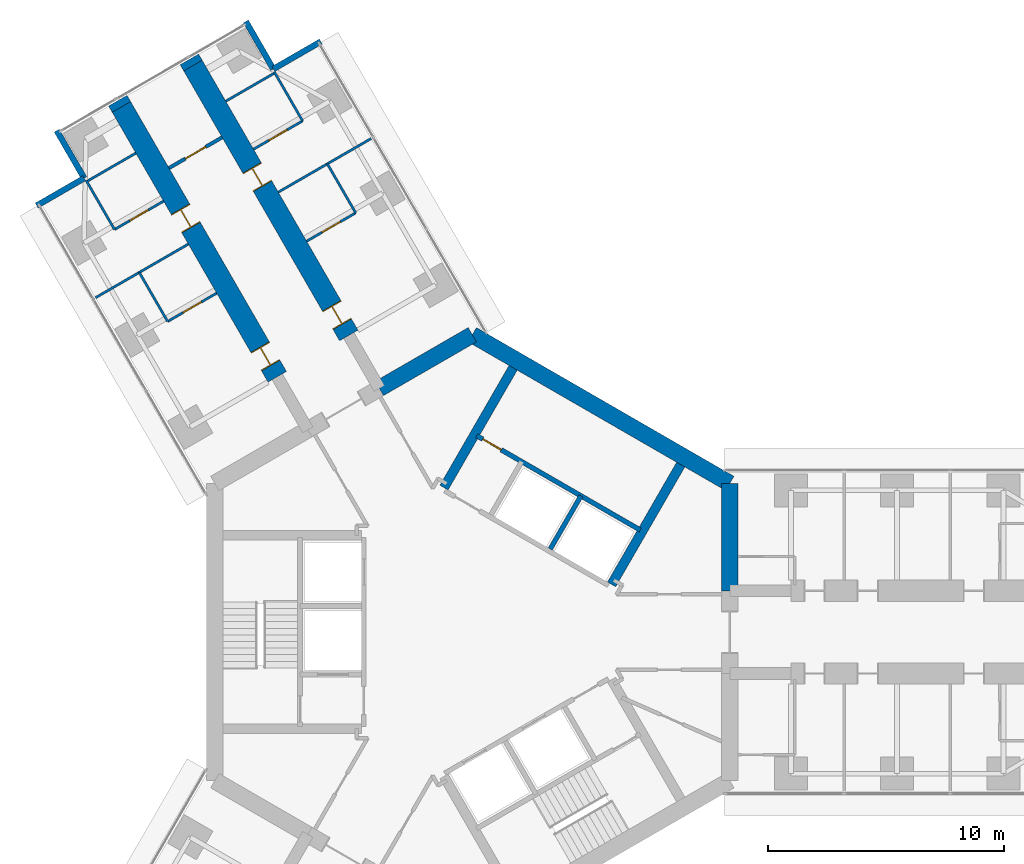
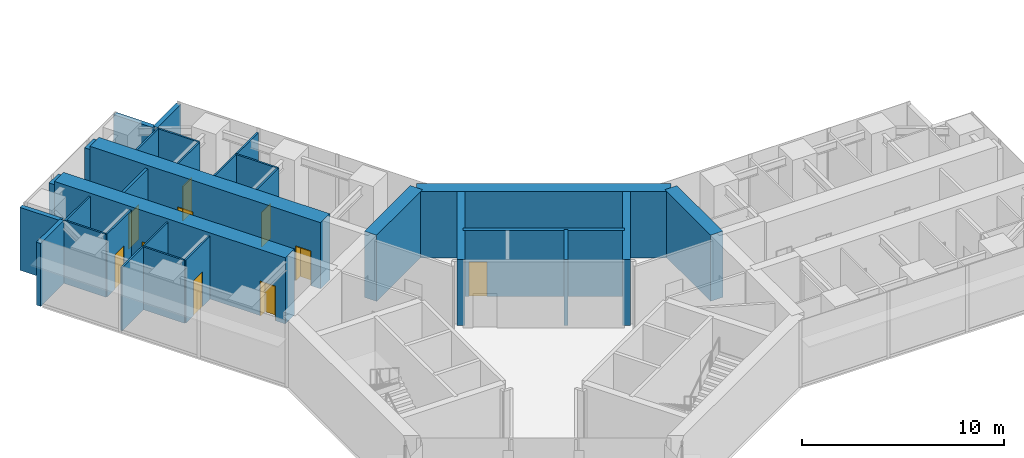
# One storey, part 19 of 25: 28 walls, 10 doors, 10 openings.
"""IFC4 building model written with IfcOpenShell, lengths in metres."""

from ifc_helpers import new_model, si_unit, direction, frame, frame_2d, origin, place, context, subcontext, project, spatial, rectangle, extrude, material, layer, layer_set, type_object, element, fill, save


model = new_model("IFC4")

# Units and contexts
model_context = context("Model", 3, precision=1e-05, world=origin(), true_north=direction((0.0, 1.0)))
body_context = subcontext(model_context, "Body", "Model", "MODEL_VIEW")
ifc_project = project(units=[si_unit("LENGTHUNIT", "METRE"), si_unit("AREAUNIT", "SQUARE_METRE"), si_unit("VOLUMEUNIT", "CUBIC_METRE"), si_unit("PLANEANGLEUNIT", "RADIAN"), si_unit("MASSUNIT", "GRAM", prefix="KILO")], contexts=[model_context])

# Site, building, storey
site_placement = place(None, origin())
site = spatial("IfcSite", under=ifc_project, at=site_placement, CompositionType="ELEMENT")
building_placement = place(site_placement, origin())
building = spatial("IfcBuilding", under=site, at=building_placement, Name="Upepo Twin Towers", CompositionType="ELEMENT")
storey_placement = place(building_placement, frame((0.0, 0.0, 80.5)))
storey = spatial("IfcBuildingStorey", under=building, at=storey_placement, Name="L19", CompositionType="ELEMENT", Elevation=80.5)

# Walls
ifc_material_1 = material(Name="Dense concrete blockwork", Category="masonry")
ifc_layer_1 = layer(ifc_material_1, 0.89990234375)
ifc_layer_set_1 = layer_set([ifc_layer_1], Name="Buttress closer 900, blockwork with fire-stopping to the curtain wall")
wall_type_1 = type_object("IfcWallType", Name="Buttress closer 900, blockwork with fire-stopping to the curtain wall", PredefinedType="PARTITIONING", material=ifc_layer_set_1)
for number, where, z_axis, x_axis, name in (
    (1, (-14.865478515625, 22.247802734375, 0.0), (0.0, 0.0, 1.0), (-0.499949632511, 0.866054481515, 0.0), "T1 L19 wing B buttress closer L"),
    (2, (-11.83447265625, 23.997802734375, 0.0), (0.0, 0.0, 1.0), (-0.499949632511, 0.866054481515, 0.0), "T1 L19 wing B buttress closer R"),
):
    element("IfcWall", number, at=place(storey_placement, frame(where, z_axis=z_axis, x_axis=x_axis)), inside=storey, type_object=wall_type_1, Name=name, PredefinedType="PARTITIONING", context=body_context, shape_type="SweptSolid", body=[
        extrude(rectangle(XDim=0.31005859375, YDim=0.89990234375, at=frame_2d((0.155029296875, 0.0))), origin(), (0.0, 0.0, 1.0), 3.800048828125),
    ])

# Wall, openings, doors
ifc_material_2 = material(Name="Concrete C60/75", Category="concrete")
ifc_layer_2 = layer(ifc_material_2, 0.89990234375)
ifc_layer_set_2 = layer_set([ifc_layer_2], Name="Concrete C60/75")
wall_type_2 = type_object("IfcWallType", Name="Buttress wall 900 RC", PredefinedType="SHEAR", material=ifc_layer_set_2)
wall_1_placement = place(storey_placement, frame((-8.265625, 10.81640625, 0.0), z_axis=(0.0, 0.0, 1.0), x_axis=(-0.499996231654, 0.866027579429, 0.0)))
wall_1 = element("IfcWall", 3, at=wall_1_placement, inside=storey, type_object=wall_type_2, Name="T1 wing B buttress wall L part 2", PredefinedType="SHEAR", context=body_context, shape_type="SweptSolid", body=[
    extrude(rectangle(XDim=13.19970703125, YDim=0.89990234375, at=frame_2d((6.599853515625, 0.0))), origin(), (0.0, 0.0, 1.0), 4.0),
])
opening_1_placement = place(wall_1_placement, frame((0.550048828125, 0.0, 0.0)))
opening_1 = element("IfcOpeningElement", 4, at=opening_1_placement, cuts=wall_1, Name="Opening D14", PredefinedType="OPENING", context=body_context, shape_type="SweptSolid", body=[
    extrude(rectangle(XDim=0.89990234375, YDim=2.10009765625, at=frame_2d((0.449951171875, 1.050048828125))), frame((0.0, 0.4599609375, 0.0), z_axis=(0.0, -1.0, 0.0), x_axis=(1.0, 0.0, 0.0)), (0.0, 0.0, 1.0), 0.919921875),
])
opening_2_placement = place(wall_1_placement, frame((7.300048828125, 0.0, 0.0)))
opening_2 = element("IfcOpeningElement", 5, at=opening_2_placement, cuts=wall_1, Name="Opening D14", PredefinedType="OPENING", context=body_context, shape_type="SweptSolid", body=[
    extrude(rectangle(XDim=0.89990234375, YDim=2.10009765625, at=frame_2d((0.449951171875, 1.050048828125))), frame((0.0, 0.4599609375, 0.0), z_axis=(0.0, -1.0, 0.0), x_axis=(1.0, 0.0, 0.0)), (0.0, 0.0, 1.0), 0.919921875),
])
ifc_material_3 = material(Name="Timber doorset", Category="wood")
door_type_1 = type_object("IfcDoorType", Name="Office door 900 FD30", OperationType="SINGLE_SWING_LEFT", PredefinedType="DOOR", material=ifc_material_3)
door_1_placement = place(opening_1_placement, origin())
door_1 = element("IfcDoor", 6, at=door_1_placement, inside=storey, type_object=door_type_1, Name="T1 L19 open-plan staff office door", OperationType="SINGLE_SWING_LEFT", OverallHeight=2.10009765625, OverallWidth=0.89990234375, PredefinedType="DOOR", context=body_context, shape_type="SweptSolid", body=[
    extrude(rectangle(XDim=0.81990234375, YDim=2.06009765625, at=frame_2d((0.449951171875, 1.030029296875))), frame((0.0, 0.02490234375, 0.0), z_axis=(0.0, -1.0, 0.0), x_axis=(1.0, 0.0, 0.0)), (0.0, 0.0, 1.0), 0.050048828125),
    extrude(rectangle(XDim=0.04, YDim=2.10009765625, at=frame_2d((0.02001953125, 1.050048828125))), frame((0.0, 0.44970703125, 0.0), z_axis=(0.0, -1.0, 0.0), x_axis=(1.0, 0.0, 0.0)), (0.0, 0.0, 1.0), 0.8994140625),
    extrude(rectangle(XDim=0.04, YDim=2.10009765625, at=frame_2d((0.8798828125, 1.050048828125))), frame((0.0, 0.44970703125, 0.0), z_axis=(0.0, -1.0, 0.0), x_axis=(1.0, 0.0, 0.0)), (0.0, 0.0, 1.0), 0.8994140625),
    extrude(rectangle(XDim=0.81990234375, YDim=0.04, at=frame_2d((0.449951171875, 2.080078125))), frame((0.0, 0.44970703125, 0.0), z_axis=(0.0, -1.0, 0.0), x_axis=(1.0, 0.0, 0.0)), (0.0, 0.0, 1.0), 0.8994140625),
])
fill(opening_1, door_1)
door_2_placement = place(opening_2_placement, origin())
door_2 = element("IfcDoor", 7, at=door_2_placement, inside=storey, type_object=door_type_1, Name="T1 L19 staff office door", OperationType="SINGLE_SWING_RIGHT", OverallHeight=2.10009765625, OverallWidth=0.89990234375, PredefinedType="DOOR", context=body_context, shape_type="SweptSolid", body=[
    extrude(rectangle(XDim=0.81990234375, YDim=2.06009765625, at=frame_2d((0.449951171875, 1.030029296875))), frame((0.0, 0.02490234375, 0.0), z_axis=(0.0, -1.0, 0.0), x_axis=(1.0, 0.0, 0.0)), (0.0, 0.0, 1.0), 0.050048828125),
    extrude(rectangle(XDim=0.04, YDim=2.10009765625, at=frame_2d((0.02001953125, 1.050048828125))), frame((0.0, 0.44970703125, 0.0), z_axis=(0.0, -1.0, 0.0), x_axis=(1.0, 0.0, 0.0)), (0.0, 0.0, 1.0), 0.8994140625),
    extrude(rectangle(XDim=0.04, YDim=2.10009765625, at=frame_2d((0.8798828125, 1.050048828125))), frame((0.0, 0.44970703125, 0.0), z_axis=(0.0, -1.0, 0.0), x_axis=(1.0, 0.0, 0.0)), (0.0, 0.0, 1.0), 0.8994140625),
    extrude(rectangle(XDim=0.81990234375, YDim=0.04, at=frame_2d((0.449951171875, 2.080078125))), frame((0.0, 0.44970703125, 0.0), z_axis=(0.0, -1.0, 0.0), x_axis=(1.0, 0.0, 0.0)), (0.0, 0.0, 1.0), 0.8994140625),
])
fill(opening_2, door_2)

wall_2_placement = place(storey_placement, frame((-5.234375, 12.56640625, 0.0), z_axis=(0.0, 0.0, 1.0), x_axis=(-0.500010103361, 0.866019570528, 0.0)))
wall_2 = element("IfcWall", 8, at=wall_2_placement, inside=storey, type_object=wall_type_2, Name="T1 wing B buttress wall R part 2", PredefinedType="SHEAR", context=body_context, shape_type="SweptSolid", body=[
    extrude(rectangle(XDim=13.199951171875, YDim=0.89990234375, at=frame_2d((6.60009765625, 0.0))), origin(), (0.0, 0.0, 1.0), 4.0),
])
opening_3_placement = place(wall_2_placement, frame((0.550048828125, 0.0, 0.0)))
opening_3 = element("IfcOpeningElement", 9, at=opening_3_placement, cuts=wall_2, Name="Opening D14", PredefinedType="OPENING", context=body_context, shape_type="SweptSolid", body=[
    extrude(rectangle(XDim=0.89990234375, YDim=2.10009765625, at=frame_2d((0.449951171875, 1.050048828125))), frame((0.0, 0.4599609375, 0.0), z_axis=(0.0, -1.0, 0.0), x_axis=(1.0, 0.0, 0.0)), (0.0, 0.0, 1.0), 0.919921875),
])
opening_4_placement = place(wall_2_placement, frame((7.300048828125, 0.0, 0.0)))
opening_4 = element("IfcOpeningElement", 10, at=opening_4_placement, cuts=wall_2, Name="Opening D14", PredefinedType="OPENING", context=body_context, shape_type="SweptSolid", body=[
    extrude(rectangle(XDim=0.89990234375, YDim=2.10009765625, at=frame_2d((0.449951171875, 1.050048828125))), frame((0.0, 0.4599609375, 0.0), z_axis=(0.0, -1.0, 0.0), x_axis=(1.0, 0.0, 0.0)), (0.0, 0.0, 1.0), 0.919921875),
])
door_3_placement = place(opening_3_placement, origin())
door_3 = element("IfcDoor", 11, at=door_3_placement, inside=storey, type_object=door_type_1, Name="T1 L19 open-plan staff office door", OperationType="SINGLE_SWING_LEFT", OverallHeight=2.10009765625, OverallWidth=0.89990234375, PredefinedType="DOOR", context=body_context, shape_type="SweptSolid", body=[
    extrude(rectangle(XDim=0.81990234375, YDim=2.06009765625, at=frame_2d((0.449951171875, 1.030029296875))), frame((0.0, 0.02490234375, 0.0), z_axis=(0.0, -1.0, 0.0), x_axis=(1.0, 0.0, 0.0)), (0.0, 0.0, 1.0), 0.050048828125),
    extrude(rectangle(XDim=0.04, YDim=2.10009765625, at=frame_2d((0.02001953125, 1.050048828125))), frame((0.0, 0.44970703125, 0.0), z_axis=(0.0, -1.0, 0.0), x_axis=(1.0, 0.0, 0.0)), (0.0, 0.0, 1.0), 0.8994140625),
    extrude(rectangle(XDim=0.04, YDim=2.10009765625, at=frame_2d((0.8798828125, 1.050048828125))), frame((0.0, 0.44970703125, 0.0), z_axis=(0.0, -1.0, 0.0), x_axis=(1.0, 0.0, 0.0)), (0.0, 0.0, 1.0), 0.8994140625),
    extrude(rectangle(XDim=0.81990234375, YDim=0.04, at=frame_2d((0.449951171875, 2.080078125))), frame((0.0, 0.44970703125, 0.0), z_axis=(0.0, -1.0, 0.0), x_axis=(1.0, 0.0, 0.0)), (0.0, 0.0, 1.0), 0.8994140625),
])
fill(opening_3, door_3)
door_4_placement = place(opening_4_placement, origin())
door_4 = element("IfcDoor", 12, at=door_4_placement, inside=storey, type_object=door_type_1, Name="T1 L19 postgraduate office door", OperationType="SINGLE_SWING_RIGHT", OverallHeight=2.10009765625, OverallWidth=0.89990234375, PredefinedType="DOOR", context=body_context, shape_type="SweptSolid", body=[
    extrude(rectangle(XDim=0.81990234375, YDim=2.06009765625, at=frame_2d((0.449951171875, 1.030029296875))), frame((0.0, 0.02490234375, 0.0), z_axis=(0.0, -1.0, 0.0), x_axis=(1.0, 0.0, 0.0)), (0.0, 0.0, 1.0), 0.050048828125),
    extrude(rectangle(XDim=0.04, YDim=2.10009765625, at=frame_2d((0.02001953125, 1.050048828125))), frame((0.0, 0.44970703125, 0.0), z_axis=(0.0, -1.0, 0.0), x_axis=(1.0, 0.0, 0.0)), (0.0, 0.0, 1.0), 0.8994140625),
    extrude(rectangle(XDim=0.04, YDim=2.10009765625, at=frame_2d((0.8798828125, 1.050048828125))), frame((0.0, 0.44970703125, 0.0), z_axis=(0.0, -1.0, 0.0), x_axis=(1.0, 0.0, 0.0)), (0.0, 0.0, 1.0), 0.8994140625),
    extrude(rectangle(XDim=0.81990234375, YDim=0.04, at=frame_2d((0.449951171875, 2.080078125))), frame((0.0, 0.44970703125, 0.0), z_axis=(0.0, -1.0, 0.0), x_axis=(1.0, 0.0, 0.0)), (0.0, 0.0, 1.0), 0.8994140625),
])
fill(opening_4, door_4)

# Walls
ifc_material_4 = material(Name="Concrete C60/75", Category="concrete")
ifc_layer_3 = layer(ifc_material_4, 0.699951171875)
ifc_layer_set_3 = layer_set([ifc_layer_3], Name="Concrete C60/75")
wall_type_3 = type_object("IfcWallType", Name="Core wall 700 RC", PredefinedType="SHEAR", material=ifc_layer_set_3)
wall_3_placement = place(storey_placement, frame((10.908447265625, 1.75, 0.0), z_axis=(0.0, 0.0, 1.0), x_axis=(0.0, 1.0, 0.0)))
element("IfcWall", 13, at=wall_3_placement, inside=storey, type_object=wall_type_3, Name="T1 core wall 000 L", PredefinedType="SHEAR", context=body_context, shape_type="SweptSolid", body=[
    extrude(rectangle(XDim=4.5478515625, YDim=0.699951171875, at=frame_2d((2.27392578125, 0.0))), origin(), (0.0, 0.0, 1.0), 4.0),
])
wall_4_placement = place(storey_placement, frame((10.908447265625, 6.2978515625, 0.0), z_axis=(0.0, 0.0, 1.0), x_axis=(-0.866021940709, 0.500005998175, 0.0)))
element("IfcWall", 14, at=wall_4_placement, inside=storey, type_object=wall_type_3, Name="T1 core wall 060", PredefinedType="SHEAR", context=body_context, shape_type="SweptSolid", body=[
    extrude(rectangle(XDim=12.595947265625, YDim=0.699951171875, at=frame_2d((6.2978515625, 0.0))), origin(), (0.0, 0.0, 1.0), 4.0),
])
wall_5_placement = place(storey_placement, frame((0.0, 12.595947265625, 0.0), z_axis=(0.0, 0.0, 1.0), x_axis=(-0.866011268655, -0.500024481964, 0.0)))
element("IfcWall", 15, at=wall_5_placement, inside=storey, type_object=wall_type_3, Name="T1 core wall 120 R", PredefinedType="SHEAR", context=body_context, shape_type="SweptSolid", body=[
    extrude(rectangle(XDim=4.548095703125, YDim=0.699951171875, at=frame_2d((2.27392578125, 0.0))), origin(), (0.0, 0.0, 1.0), 4.0),
])
ifc_material_5 = material(Name="Blockwork with anodised aluminium cladding", Category="masonry")
ifc_layer_4 = layer(ifc_material_5, 0.25)
ifc_layer_set_4 = layer_set([ifc_layer_4], Name="Notch cladding wall 250, pale metal")
wall_type_4 = type_object("IfcWallType", Name="Notch cladding wall 250, pale metal", PredefinedType="STANDARD", material=ifc_layer_set_4)
for number, where, z_axis, x_axis, name in (
    (16, (-18.456298828125, 18.0673828125, 0.0), (0.0, 0.0, 1.0), (0.865998469481, 0.500046648681, 0.0), "T1 L19 wing B notch wall L1"),
    (17, (-16.44287109375, 19.22998046875, 0.0), (0.0, 0.0, 1.0), (-0.500046648681, 0.865998469481, 0.0), "T1 L19 wing B notch wall L2"),
    (18, (-6.418701171875, 25.017333984375, 0.0), (0.0, 0.0, 1.0), (-0.866043940782, -0.499967891604, 0.0), "T1 L19 wing B notch wall R1"),
    (19, (-8.43212890625, 23.85498046875, 0.0), (0.0, 0.0, 1.0), (-0.500046648681, 0.865998469481, 0.0), "T1 L19 wing B notch wall R2"),
):
    element("IfcWall", number, at=place(storey_placement, frame(where, z_axis=z_axis, x_axis=x_axis)), inside=storey, type_object=wall_type_4, Name=name, PredefinedType="STANDARD", context=body_context, shape_type="SweptSolid", body=[
        extrude(rectangle(XDim=2.324951171875, YDim=0.25, at=frame_2d((1.16259765625, 0.0))), origin(), (0.0, 0.0, 1.0), 3.800048828125),
    ])
ifc_material_6 = material(Name="Gypsum board on steel studs", Category="steel")
ifc_layer_5 = layer(ifc_material_6, 0.10009765625)
ifc_layer_set_5 = layer_set([ifc_layer_5], Name="Office partition 100 stud")
wall_type_5 = type_object("IfcWallType", Name="Office partition 100 stud", PredefinedType="PARTITIONING", material=ifc_layer_set_5)
wall_6_placement = place(storey_placement, frame((-12.0302734375, 16.43701171875, 0.0), z_axis=(0.0, 0.0, 1.0), x_axis=(-0.866035472144, -0.499982560684, 0.0)))
element("IfcWall", 20, at=wall_6_placement, inside=storey, type_object=wall_type_5, Name="T1 partition BL at 20.25", PredefinedType="PARTITIONING", context=body_context, shape_type="SweptSolid", body=[
    extrude(rectangle(XDim=4.550048828125, YDim=0.10009765625, at=frame_2d((2.27490234375, 0.0))), origin(), (0.0, 0.0, 1.0), 3.800048828125),
])
wall_7_placement = place(storey_placement, frame((-12.90869140625, 13.158447265625, 0.0), z_axis=(0.0, 0.0, 1.0), x_axis=(-0.499957262057, 0.866050077142, 0.0)))
element("IfcWall", 21, at=wall_7_placement, inside=storey, type_object=wall_type_5, Name="T1 inner room partition BL at 17.85", PredefinedType="PARTITIONING", context=body_context, shape_type="SweptSolid", body=[
    extrude(rectangle(XDim=2.400146484375, YDim=0.10009765625, at=frame_2d((1.2001953125, 0.0))), origin(), (0.0, 0.0, 1.0), 3.800048828125),
])

# Wall, opening, door
wall_8_placement = place(storey_placement, frame((-10.830322265625, 14.358642578125, 0.0), z_axis=(0.0, 0.0, 1.0), x_axis=(-0.865980596518, -0.500077600433, 0.0)))
wall_8 = element("IfcWall", 22, at=wall_8_placement, inside=storey, type_object=wall_type_5, Name="T1 inner room partition BL end at 17.85", PredefinedType="PARTITIONING", context=body_context, shape_type="SweptSolid", body=[
    extrude(rectangle(XDim=2.39990234375, YDim=0.10009765625, at=frame_2d((1.199951171875, 0.0))), origin(), (0.0, 0.0, 1.0), 3.800048828125),
])
opening_5_placement = place(wall_8_placement, frame((0.75, 0.0, 0.0)))
opening_5 = element("IfcOpeningElement", 23, at=opening_5_placement, cuts=wall_8, Name="Opening D14", PredefinedType="OPENING", context=body_context, shape_type="SweptSolid", body=[
    extrude(rectangle(XDim=0.89990234375, YDim=2.10009765625, at=frame_2d((0.449951171875, 1.050048828125))), frame((0.0, 0.06005859375, 0.0), z_axis=(0.0, -1.0, 0.0), x_axis=(1.0, 0.0, 0.0)), (0.0, 0.0, 1.0), 0.1201171875),
])
door_5_placement = place(opening_5_placement, origin())
door_5 = element("IfcDoor", 24, at=door_5_placement, inside=storey, type_object=door_type_1, Name="T1 L19 inner room door", OperationType="SINGLE_SWING_LEFT", OverallHeight=2.10009765625, OverallWidth=0.89990234375, PredefinedType="DOOR", context=body_context, shape_type="SweptSolid", body=[
    extrude(rectangle(XDim=0.89990234375, YDim=2.10009765625, at=frame_2d((0.449951171875, 1.050048828125))), frame((0.0, 0.02490234375, 0.0), z_axis=(0.0, -1.0, 0.0), x_axis=(1.0, 0.0, 0.0)), (0.0, 0.0, 1.0), 0.050048828125),
])
fill(opening_5, door_5)

# Wall
wall_9_placement = place(storey_placement, frame((-15.15869140625, 17.0556640625, 0.0), z_axis=(0.0, 0.0, 1.0), x_axis=(-0.500001309137, 0.866024647952, 0.0)))
element("IfcWall", 25, at=wall_9_placement, inside=storey, type_object=wall_type_5, Name="T1 inner room partition BL at 22.35", PredefinedType="PARTITIONING", context=body_context, shape_type="SweptSolid", body=[
    extrude(rectangle(XDim=2.39990234375, YDim=0.10009765625, at=frame_2d((1.199951171875, 0.0))), origin(), (0.0, 0.0, 1.0), 3.800048828125),
])

# Wall, opening, door
wall_10_placement = place(storey_placement, frame((-13.080322265625, 18.255615234375, 0.0), z_axis=(0.0, 0.0, 1.0), x_axis=(-0.866024647952, -0.500001309137, 0.0)))
wall_10 = element("IfcWall", 26, at=wall_10_placement, inside=storey, type_object=wall_type_5, Name="T1 inner room partition BL end at 22.35", PredefinedType="PARTITIONING", context=body_context, shape_type="SweptSolid", body=[
    extrude(rectangle(XDim=2.39990234375, YDim=0.10009765625, at=frame_2d((1.199951171875, 0.0))), origin(), (0.0, 0.0, 1.0), 3.800048828125),
])
opening_6_placement = place(wall_10_placement, frame((0.75, 0.0, 0.0)))
opening_6 = element("IfcOpeningElement", 27, at=opening_6_placement, cuts=wall_10, Name="Opening D14", PredefinedType="OPENING", context=body_context, shape_type="SweptSolid", body=[
    extrude(rectangle(XDim=0.89990234375, YDim=2.10009765625, at=frame_2d((0.449951171875, 1.050048828125))), frame((0.0, 0.06005859375, 0.0), z_axis=(0.0, -1.0, 0.0), x_axis=(1.0, 0.0, 0.0)), (0.0, 0.0, 1.0), 0.1201171875),
])
door_6_placement = place(opening_6_placement, origin())
door_6 = element("IfcDoor", 28, at=door_6_placement, inside=storey, type_object=door_type_1, Name="T1 L19 inner room door", OperationType="SINGLE_SWING_LEFT", OverallHeight=2.10009765625, OverallWidth=0.89990234375, PredefinedType="DOOR", context=body_context, shape_type="SweptSolid", body=[
    extrude(rectangle(XDim=0.89990234375, YDim=2.10009765625, at=frame_2d((0.449951171875, 1.050048828125))), frame((0.0, 0.02490234375, 0.0), z_axis=(0.0, -1.0, 0.0), x_axis=(1.0, 0.0, 0.0)), (0.0, 0.0, 1.0), 0.050048828125),
])
fill(opening_6, door_6)

# Walls
wall_11_placement = place(storey_placement, frame((-14.25537109375, 20.290771484375, 0.0), z_axis=(0.0, 0.0, 1.0), x_axis=(-0.866024647952, -0.500001309137, 0.0)))
element("IfcWall", 29, at=wall_11_placement, inside=storey, type_object=wall_type_5, Name="T1 inner room partition BL end at 24.75", PredefinedType="PARTITIONING", context=body_context, shape_type="SweptSolid", body=[
    extrude(rectangle(XDim=2.39990234375, YDim=0.10009765625, at=frame_2d((1.199951171875, 0.0))), origin(), (0.0, 0.0, 1.0), 3.800048828125),
])
wall_12_placement = place(storey_placement, frame((-8.2197265625, 18.636962890625, 0.0), z_axis=(0.0, 0.0, 1.0), x_axis=(0.866012237902, 0.500022803284, 0.0)))
element("IfcWall", 30, at=wall_12_placement, inside=storey, type_object=wall_type_5, Name="T1 partition BR at 20.25", PredefinedType="PARTITIONING", context=body_context, shape_type="SweptSolid", body=[
    extrude(rectangle(XDim=4.550048828125, YDim=0.10009765625, at=frame_2d((2.27490234375, 0.0))), origin(), (0.0, 0.0, 1.0), 3.800048828125),
])
wall_13_placement = place(storey_placement, frame((-4.941162109375, 17.758544921875, 0.0), z_axis=(0.0, 0.0, 1.0), x_axis=(-0.500077600433, 0.865980596518, 0.0)))
element("IfcWall", 31, at=wall_13_placement, inside=storey, type_object=wall_type_5, Name="T1 inner room partition BR at 17.85", PredefinedType="PARTITIONING", context=body_context, shape_type="SweptSolid", body=[
    extrude(rectangle(XDim=2.39990234375, YDim=0.10009765625, at=frame_2d((1.199951171875, 0.0))), origin(), (0.0, 0.0, 1.0), 3.800048828125),
])

# Wall, opening, door
wall_14_placement = place(storey_placement, frame((-7.019775390625, 16.55859375, 0.0), z_axis=(0.0, 0.0, 1.0), x_axis=(0.866050077142, 0.499957262057, 0.0)))
wall_14 = element("IfcWall", 32, at=wall_14_placement, inside=storey, type_object=wall_type_5, Name="T1 inner room partition BR end at 17.85", PredefinedType="PARTITIONING", context=body_context, shape_type="SweptSolid", body=[
    extrude(rectangle(XDim=2.400146484375, YDim=0.10009765625, at=frame_2d((1.2001953125, 0.0))), origin(), (0.0, 0.0, 1.0), 3.800048828125),
])
opening_7_placement = place(wall_14_placement, frame((0.75, 0.0, 0.0)))
opening_7 = element("IfcOpeningElement", 33, at=opening_7_placement, cuts=wall_14, Name="Opening D14", PredefinedType="OPENING", context=body_context, shape_type="SweptSolid", body=[
    extrude(rectangle(XDim=0.89990234375, YDim=2.10009765625, at=frame_2d((0.449951171875, 1.050048828125))), frame((0.0, 0.06005859375, 0.0), z_axis=(0.0, -1.0, 0.0), x_axis=(1.0, 0.0, 0.0)), (0.0, 0.0, 1.0), 0.1201171875),
])
door_7_placement = place(opening_7_placement, origin())
door_7 = element("IfcDoor", 34, at=door_7_placement, inside=storey, type_object=door_type_1, Name="T1 L19 inner room door", OperationType="SINGLE_SWING_LEFT", OverallHeight=2.10009765625, OverallWidth=0.89990234375, PredefinedType="DOOR", context=body_context, shape_type="SweptSolid", body=[
    extrude(rectangle(XDim=0.89990234375, YDim=2.10009765625, at=frame_2d((0.449951171875, 1.050048828125))), frame((0.0, 0.02490234375, 0.0), z_axis=(0.0, -1.0, 0.0), x_axis=(1.0, 0.0, 0.0)), (0.0, 0.0, 1.0), 0.050048828125),
])
fill(opening_7, door_7)

# Wall
wall_15_placement = place(storey_placement, frame((-7.191162109375, 21.65576171875, 0.0), z_axis=(0.0, 0.0, 1.0), x_axis=(-0.500077600433, 0.865980596518, 0.0)))
element("IfcWall", 35, at=wall_15_placement, inside=storey, type_object=wall_type_5, Name="T1 inner room partition BR at 22.35", PredefinedType="PARTITIONING", context=body_context, shape_type="SweptSolid", body=[
    extrude(rectangle(XDim=2.39990234375, YDim=0.10009765625, at=frame_2d((1.199951171875, 0.0))), origin(), (0.0, 0.0, 1.0), 3.800048828125),
])

# Wall, opening, door
wall_16_placement = place(storey_placement, frame((-9.269775390625, 20.45556640625, 0.0), z_axis=(0.0, 0.0, 1.0), x_axis=(0.866006032174, 0.500033551112, 0.0)))
wall_16 = element("IfcWall", 36, at=wall_16_placement, inside=storey, type_object=wall_type_5, Name="T1 inner room partition BR end at 22.35", PredefinedType="PARTITIONING", context=body_context, shape_type="SweptSolid", body=[
    extrude(rectangle(XDim=2.400146484375, YDim=0.10009765625, at=frame_2d((1.2001953125, 0.0))), origin(), (0.0, 0.0, 1.0), 3.800048828125),
])
opening_8_placement = place(wall_16_placement, frame((0.75, 0.0, 0.0)))
opening_8 = element("IfcOpeningElement", 37, at=opening_8_placement, cuts=wall_16, Name="Opening D14", PredefinedType="OPENING", context=body_context, shape_type="SweptSolid", body=[
    extrude(rectangle(XDim=0.89990234375, YDim=2.10009765625, at=frame_2d((0.449951171875, 1.050048828125))), frame((0.0, 0.06005859375, 0.0), z_axis=(0.0, -1.0, 0.0), x_axis=(1.0, 0.0, 0.0)), (0.0, 0.0, 1.0), 0.1201171875),
])
door_8_placement = place(opening_8_placement, origin())
door_8 = element("IfcDoor", 38, at=door_8_placement, inside=storey, type_object=door_type_1, Name="T1 L19 inner room door", OperationType="SINGLE_SWING_LEFT", OverallHeight=2.10009765625, OverallWidth=0.89990234375, PredefinedType="DOOR", context=body_context, shape_type="SweptSolid", body=[
    extrude(rectangle(XDim=0.89990234375, YDim=2.10009765625, at=frame_2d((0.449951171875, 1.050048828125))), frame((0.0, 0.02490234375, 0.0), z_axis=(0.0, -1.0, 0.0), x_axis=(1.0, 0.0, 0.0)), (0.0, 0.0, 1.0), 0.050048828125),
])
fill(opening_8, door_8)

# Walls
wall_17_placement = place(storey_placement, frame((-10.44482421875, 22.49072265625, 0.0), z_axis=(0.0, 0.0, 1.0), x_axis=(0.866006032174, 0.500033551112, 0.0)))
element("IfcWall", 39, at=wall_17_placement, inside=storey, type_object=wall_type_5, Name="T1 inner room partition BR end at 24.75", PredefinedType="PARTITIONING", context=body_context, shape_type="SweptSolid", body=[
    extrude(rectangle(XDim=2.400146484375, YDim=0.10009765625, at=frame_2d((1.2001953125, 0.0))), origin(), (0.0, 0.0, 1.0), 3.800048828125),
])
ifc_material_7 = material(Name="Concrete C40/50", Category="concrete")
ifc_layer_6 = layer(ifc_material_7, 0.199951171875)
ifc_layer_set_6 = layer_set([ifc_layer_6], Name="Concrete C40/50")
wall_type_6 = type_object("IfcWallType", Name="Shaft wall 200 RC", PredefinedType="SHEAR", material=ifc_layer_set_6)
wall_18_placement = place(storey_placement, frame((3.302734375, 3.520263671875, 0.0), z_axis=(0.0, 0.0, 1.0), x_axis=(0.499936506574, 0.866062058628, 0.0)))
element("IfcWall", 40, at=wall_18_placement, inside=storey, type_object=wall_type_6, Name="T1 core W60 shaft divider", PredefinedType="SHEAR", context=body_context, shape_type="SweptSolid", body=[
    extrude(rectangle(XDim=2.599853515625, YDim=0.199951171875, at=frame_2d((1.2998046875, 0.0))), origin(), (0.0, 0.0, 1.0), 4.0),
])

# Wall, opening, door
wall_19_placement = place(storey_placement, frame((7.114013671875, 4.322021484375, 0.0), z_axis=(0.0, 0.0, 1.0), x_axis=(-0.866026010844, 0.49999894854, 0.0)))
wall_19 = element("IfcWall", 41, at=wall_19_placement, inside=storey, type_object=wall_type_6, Name="T1 core W60 stair wall", PredefinedType="SHEAR", context=body_context, shape_type="SweptSolid", body=[
    extrude(rectangle(XDim=8.0, YDim=0.199951171875, at=frame_2d((4.0, 0.0))), origin(), (0.0, 0.0, 1.0), 4.0),
])
opening_9_placement = place(wall_19_placement, frame((6.800048828125, 0.0, 0.0)))
opening_9 = element("IfcOpeningElement", 42, at=opening_9_placement, cuts=wall_19, Name="Opening D9", PredefinedType="OPENING", context=body_context, shape_type="SweptSolid", body=[
    extrude(rectangle(XDim=0.89990234375, YDim=2.10009765625, at=frame_2d((0.449951171875, 1.050048828125))), frame((0.0, 0.10986328125, 0.0), z_axis=(0.0, -1.0, 0.0), x_axis=(1.0, 0.0, 0.0)), (0.0, 0.0, 1.0), 0.219970703125),
])
ifc_material_8 = material(Name="Timber doorset", Category="wood")
door_type_2 = type_object("IfcDoorType", Name="Riser door 900 FD60", OperationType="SINGLE_SWING_LEFT", PredefinedType="DOOR", material=ifc_material_8)
door_9_placement = place(opening_9_placement, origin())
door_9 = element("IfcDoor", 43, at=door_9_placement, inside=storey, type_object=door_type_2, Name="T1 L19 riser door", OperationType="SINGLE_SWING_RIGHT", OverallHeight=2.10009765625, OverallWidth=0.89990234375, PredefinedType="DOOR", context=body_context, shape_type="SweptSolid", body=[
    extrude(rectangle(XDim=0.89990234375, YDim=2.10009765625, at=frame_2d((0.449951171875, 1.050048828125))), frame((0.0, 0.02490234375, 0.0), z_axis=(0.0, -1.0, 0.0), x_axis=(1.0, 0.0, 0.0)), (0.0, 0.0, 1.0), 0.050048828125),
])
fill(opening_9, door_9)

# Walls
ifc_material_9 = material(Name="Concrete C40/50", Category="concrete")
ifc_layer_7 = layer(ifc_material_9, 0.39990234375)
ifc_layer_set_7 = layer_set([ifc_layer_7], Name="Concrete C40/50")
wall_type_7 = type_object("IfcWallType", Name="Shaft wall 400 RC", PredefinedType="SHEAR", material=ifc_layer_set_7)
for number, where, z_axis, x_axis, name in (
    (44, (-1.20068359375, 6.120361328125, 0.0), (0.0, 0.0, 1.0), (0.500002627198, 0.866023886965, 0.0), "T1 core W60 side wall N"),
    (45, (5.900634765625, 2.020263671875, 0.0), (0.0, 0.0, 1.0), (0.500002627198, 0.866023886965, 0.0), "T1 core W60 side wall S"),
):
    element("IfcWall", number, at=place(storey_placement, frame(where, z_axis=z_axis, x_axis=x_axis)), inside=storey, type_object=wall_type_7, Name=name, PredefinedType="SHEAR", context=body_context, shape_type="SweptSolid", body=[
        extrude(rectangle(XDim=5.8583984375, YDim=0.39990234375, at=frame_2d((2.92919921875, 0.0))), origin(), (0.0, 0.0, 1.0), 4.0),
    ])

# Wall, opening, door
ifc_material_10 = material(Name="Gypsum board on steel studs", Category="steel")
ifc_layer_8 = layer(ifc_material_10, 0.14990234375)
ifc_layer_set_8 = layer_set([ifc_layer_8], Name="Teaching partition 150 acoustic")
wall_type_8 = type_object("IfcWallType", Name="Teaching partition 150 acoustic", PredefinedType="PARTITIONING", material=ifc_layer_set_8)
wall_20_placement = place(storey_placement, frame((-10.59912109375, 20.958251953125, 0.0), z_axis=(0.0, 0.0, 1.0), x_axis=(-0.866021400173, -0.500006934395, 0.0)))
wall_20 = element("IfcWall", 46, at=wall_20_placement, inside=storey, type_object=wall_type_8, Name="T1 corridor end partition B at 23.45", PredefinedType="PARTITIONING", context=body_context, shape_type="SweptSolid", body=[
    extrude(rectangle(XDim=2.60009765625, YDim=0.14990234375, at=frame_2d((1.300048828125, 0.0))), origin(), (0.0, 0.0, 1.0), 3.800048828125),
])
opening_10_placement = place(wall_20_placement, frame((0.800048828125, 0.0, 0.0)))
opening_10 = element("IfcOpeningElement", 47, at=opening_10_placement, cuts=wall_20, Name="Opening D1", PredefinedType="OPENING", context=body_context, shape_type="SweptSolid", body=[
    extrude(rectangle(XDim=1.0, YDim=2.10009765625, at=frame_2d((0.5, 1.050048828125))), frame((0.0, 0.0849609375, 0.0), z_axis=(0.0, -1.0, 0.0), x_axis=(1.0, 0.0, 0.0)), (0.0, 0.0, 1.0), 0.169921875),
])
ifc_material_11 = material(Name="Timber doorset", Category="wood")
door_type_3 = type_object("IfcDoorType", Name="Room door 1000 FD30", OperationType="SINGLE_SWING_LEFT", PredefinedType="DOOR", material=ifc_material_11)
door_10_placement = place(opening_10_placement, origin())
door_10 = element("IfcDoor", 48, at=door_10_placement, inside=storey, type_object=door_type_3, Name="T1 L19 breakout study room door", OperationType="SINGLE_SWING_RIGHT", OverallHeight=2.10009765625, OverallWidth=1.0, PredefinedType="DOOR", context=body_context, shape_type="SweptSolid", body=[
    extrude(rectangle(XDim=1.0, YDim=2.10009765625, at=frame_2d((0.5, 1.050048828125))), frame((0.0, 0.02490234375, 0.0), z_axis=(0.0, -1.0, 0.0), x_axis=(1.0, 0.0, 0.0)), (0.0, 0.0, 1.0), 0.050048828125),
])
fill(opening_10, door_10)

save(model, "model.ifc")
